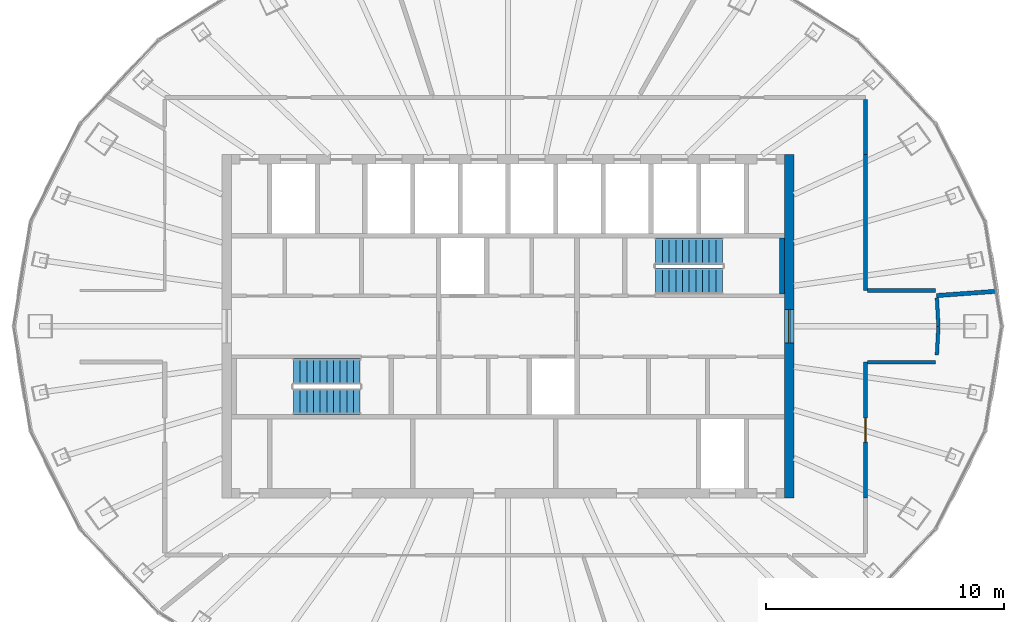
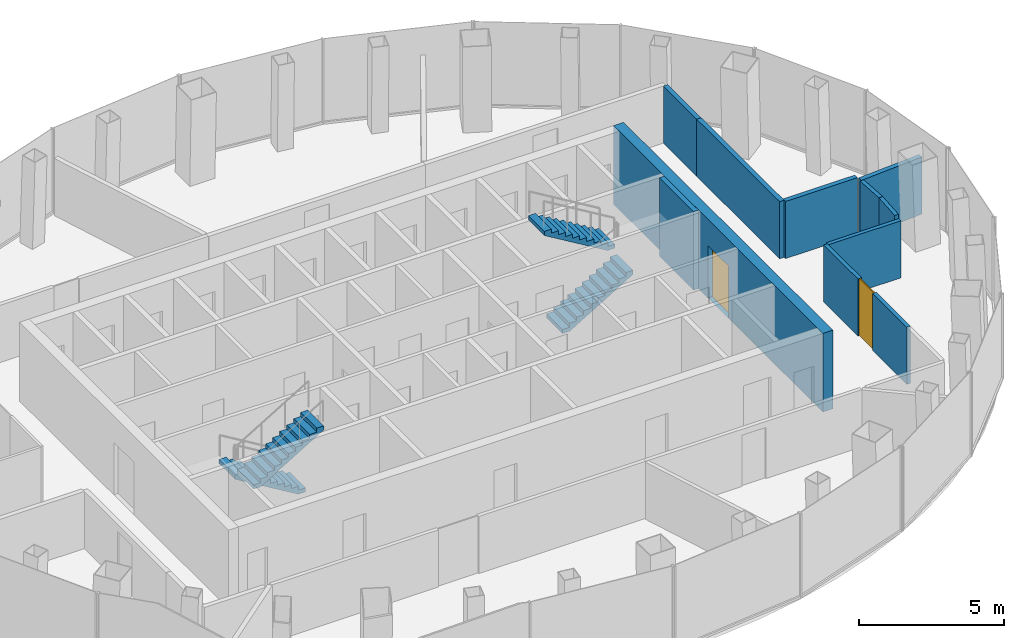
# One storey, part 10 of 11: 10 walls, 4 stair flights, 2 doors, 2 openings, 2 elements without a shape of their own.
"""IFC4 building model written with IfcOpenShell, lengths in metres."""

from ifc_helpers import new_model, si_unit, direction, frame, frame_2d, origin, place, context, subcontext, project, spatial, polyline, rectangle, outline, extrude, material, layer, layer_set, type_object, element, fill, aggregate, save


model = new_model("IFC4")

# Units and contexts
model_context = context("Model", 3, precision=1e-05, world=origin(), true_north=direction((0.0, 1.0)))
body_context = subcontext(model_context, "Body", "Model", "MODEL_VIEW")
ifc_project = project(units=[si_unit("LENGTHUNIT", "METRE"), si_unit("AREAUNIT", "SQUARE_METRE"), si_unit("VOLUMEUNIT", "CUBIC_METRE"), si_unit("PLANEANGLEUNIT", "RADIAN"), si_unit("MASSUNIT", "GRAM", prefix="KILO")], contexts=[model_context])

# Site, building, storey
site_placement = place(None, origin())
site = spatial("IfcSite", under=ifc_project, at=site_placement, CompositionType="ELEMENT")
building_placement = place(site_placement, origin())
building = spatial("IfcBuilding", under=site, at=building_placement, Name="Siaravel Broadcast Tower", CompositionType="ELEMENT")
storey_placement = place(building_placement, frame((0.0, 0.0, 254.10009765625)))
storey = spatial("IfcBuildingStorey", under=building, at=storey_placement, Name="L62", CompositionType="ELEMENT", Elevation=254.10009765625)

# Wall, opening, door
ifc_material_1 = material(Name="Concrete C60/75", Category="concrete")
ifc_layer_1 = layer(ifc_material_1, 0.39990234375)
ifc_layer_set_1 = layer_set([ifc_layer_1], Name="Concrete C60/75")
wall_type_1 = type_object("IfcWallType", Name="Core wall 400", PredefinedType="SHEAR", material=ifc_layer_set_1)
wall_1_placement = place(storey_placement, frame((11.800048828125, -7.199951171875, 0.0), z_axis=(0.0, 0.0, 1.0), x_axis=(0.0, 1.0, 0.0)))
wall_1 = element("IfcWall", 1, at=wall_1_placement, inside=storey, type_object=wall_type_1, Name="L62 core wall OE", PredefinedType="SHEAR", context=body_context, shape_type="SweptSolid", body=[
    extrude(rectangle(XDim=14.39990234375, YDim=0.39990234375, at=frame_2d((7.199951171875, 0.0))), origin(), (0.0, 0.0, 1.0), 3.2998046875),
])
opening_1_placement = place(wall_1_placement, frame((6.5, 0.0, 0.0)))
opening_1 = element("IfcOpeningElement", 2, at=opening_1_placement, cuts=wall_1, Name="Opening L62-DX-E", PredefinedType="OPENING", context=body_context, shape_type="SweptSolid", body=[
    extrude(rectangle(XDim=1.39990234375, YDim=2.199951171875, at=frame_2d((0.699951171875, 1.10009765625))), frame((0.0, 0.2099609375, 0.0), z_axis=(0.0, -1.0, 0.0), x_axis=(1.0, 0.0, 0.0)), (0.0, 0.0, 1.0), 0.419921875),
])
ifc_material_2 = material(Name="Steel", Category="steel")
door_type_1 = type_object("IfcDoorType", Name="Core exit door 1400", OperationType="DOUBLE_DOOR_SINGLE_SWING", PredefinedType="DOOR", material=ifc_material_2)
door_1_placement = place(opening_1_placement, origin())
door_1 = element("IfcDoor", 3, at=door_1_placement, inside=storey, type_object=door_type_1, Name="L62 door DX-E", OperationType="DOUBLE_DOOR_SINGLE_SWING", OverallHeight=2.199951171875, OverallWidth=1.39990234375, PredefinedType="DOOR", context=body_context, shape_type="SweptSolid", body=[
    extrude(rectangle(XDim=1.39990234375, YDim=2.199951171875, at=frame_2d((0.699951171875, 1.10009765625))), frame((0.0, 0.02490234375, 0.0), z_axis=(0.0, -1.0, 0.0), x_axis=(1.0, 0.0, 0.0)), (0.0, 0.0, 1.0), 0.050048828125),
])
fill(opening_1, door_1)

ifc_material_3 = material(Name="Gypsum board partition", Category="gypsum")
ifc_layer_2 = layer(ifc_material_3, 0.14990234375)
ifc_layer_set_2 = layer_set([ifc_layer_2], Name="Gypsum board partition")
wall_type_2 = type_object("IfcWallType", Name="Corridor wall 150", PredefinedType="PARTITIONING", material=ifc_layer_set_2)
wall_2_placement = place(storey_placement, frame((15.001953125, -7.2119140625, 0.0), z_axis=(0.0, 0.0, 1.0), x_axis=(-0.000341939, 0.999999942, 0.0)))
wall_2 = element("IfcWall", 4, at=wall_2_placement, inside=storey, type_object=wall_type_2, Name="L62 partition 12", PredefinedType="PARTITIONING", context=body_context, shape_type="SweptSolid", body=[
    extrude(rectangle(XDim=5.7119140625, YDim=0.14990234375, at=frame_2d((2.85595703125, 0.0))), origin(), (0.0, 0.0, 1.0), 2.39990234375),
])
opening_2_placement = place(wall_2_placement, frame((2.35595703125, 0.0, 0.0)))
opening_2 = element("IfcOpeningElement", 5, at=opening_2_placement, cuts=wall_2, Name="Opening L62-004", PredefinedType="OPENING", context=body_context, shape_type="SweptSolid", body=[
    extrude(rectangle(XDim=1.0, YDim=2.39990234375, at=frame_2d((0.5, 1.199951171875))), frame((0.0, 0.0849609375, 0.0), z_axis=(0.0, -1.0, 0.0), x_axis=(1.0, 0.0, 0.0)), (0.0, 0.0, 1.0), 0.169921875),
])
ifc_material_4 = material(Name="Timber veneer", Category="wood")
door_type_2 = type_object("IfcDoorType", Name="Executive office door 1000", OperationType="SINGLE_SWING_LEFT", PredefinedType="DOOR", material=ifc_material_4)
door_2_placement = place(opening_2_placement, origin())
door_2 = element("IfcDoor", 6, at=door_2_placement, inside=storey, type_object=door_type_2, Name="L62 door to Executive office", OperationType="SINGLE_SWING_RIGHT", OverallHeight=2.39990234375, OverallWidth=1.0, PredefinedType="DOOR", context=body_context, shape_type="SweptSolid", body=[
    extrude(rectangle(XDim=1.0, YDim=2.39990234375, at=frame_2d((0.5, 1.199951171875))), frame((0.0, 0.02490234375, 0.0), z_axis=(0.0, -1.0, 0.0), x_axis=(1.0, 0.0, 0.0)), (0.0, 0.0, 1.0), 0.050048828125),
])
fill(opening_2, door_2)

# Walls
wall_3_placement = place(storey_placement, frame((15.076904296875, -1.5, 0.0), z_axis=(0.0, 0.0, 1.0), x_axis=(1.0, 0.0, 0.0)))
element("IfcWall", 7, at=wall_3_placement, inside=storey, type_object=wall_type_2, Name="L62 partition 18", PredefinedType="PARTITIONING", context=body_context, shape_type="SweptSolid", body=[
    extrude(rectangle(XDim=2.870849609375, YDim=0.14990234375, at=frame_2d((1.435546875, 0.0))), origin(), (0.0, 0.0, 1.0), 2.39990234375),
])
wall_4_placement = place(storey_placement, frame((18.06005859375, 0.0, 0.0), z_axis=(0.0, 0.0, 1.0), x_axis=(-0.053146642, 0.998586719, 0.0)))
element("IfcWall", 8, at=wall_4_placement, inside=storey, type_object=wall_type_2, Name="L62 partition 27", PredefinedType="PARTITIONING", context=body_context, shape_type="SweptSolid", body=[
    extrude(rectangle(XDim=1.198974609375, YDim=0.14990234375, at=frame_2d((0.599609375, 0.0))), origin(), (0.0, 0.0, 1.0), 2.39990234375),
])
wall_5_placement = place(storey_placement, frame((17.99609375, -1.1982421875, 0.0), z_axis=(0.0, 0.0, 1.0), x_axis=(0.053344935, 0.998576145, 0.0)))
element("IfcWall", 9, at=wall_5_placement, inside=storey, type_object=wall_type_2, Name="L62 partition 28", PredefinedType="PARTITIONING", context=body_context, shape_type="SweptSolid", body=[
    extrude(rectangle(XDim=1.18994140625, YDim=0.14990234375, at=frame_2d((0.594970703125, 0.0))), origin(), (0.0, 0.0, 1.0), 2.39990234375),
])
ifc_material_5 = material(Name="Concrete blockwork", Category="masonry")
ifc_layer_3 = layer(ifc_material_5, 0.179931640625)
ifc_layer_set_3 = layer_set([ifc_layer_3], Name="Concrete blockwork")
wall_type_3 = type_object("IfcWallType", Name="Service room fire partition 180", PredefinedType="PARTITIONING", material=ifc_layer_set_3)
wall_6_placement = place(storey_placement, frame((15.0, 1.5, 0.0), z_axis=(0.0, 0.0, 1.0), x_axis=(0.0, 1.0, 0.0)))
element("IfcWall", 10, at=wall_6_placement, inside=storey, type_object=wall_type_3, Name="L62 partition 11", PredefinedType="PARTITIONING", context=body_context, shape_type="SweptSolid", body=[
    extrude(rectangle(XDim=5.7119140625, YDim=0.179931640625, at=frame_2d((2.85595703125, 0.0))), origin(), (0.0, 0.0, 1.0), 2.39990234375),
])
wall_7_placement = place(storey_placement, frame((17.94775390625, 1.5, 0.0), z_axis=(0.0, 0.0, 1.0), x_axis=(-1.0, 0.0, 0.0)))
element("IfcWall", 11, at=wall_7_placement, inside=storey, type_object=wall_type_3, Name="L62 partition 19", PredefinedType="PARTITIONING", context=body_context, shape_type="SweptSolid", body=[
    extrude(rectangle(XDim=2.855712890625, YDim=0.179931640625, at=frame_2d((1.427734375, 0.0))), origin(), (0.0, 0.0, 1.0), 2.39990234375),
])
wall_8_placement = place(storey_placement, frame((20.48486328125, 1.468017578125, 0.0), z_axis=(0.0, 0.0, 1.0), x_axis=(-0.997440396, -0.071502847, 0.0)))
element("IfcWall", 12, at=wall_8_placement, inside=storey, type_object=wall_type_3, Name="L62 partition 22", PredefinedType="PARTITIONING", context=body_context, shape_type="SweptSolid", body=[
    extrude(rectangle(XDim=2.509521484375, YDim=0.179931640625, at=frame_2d((1.2548828125, 0.0))), origin(), (0.0, 0.0, 1.0), 2.39990234375),
])
wall_9_placement = place(storey_placement, frame((15.0, 7.212890625, 0.0), z_axis=(0.0, 0.0, 1.0), x_axis=(0.0, 1.0, 0.0)))
element("IfcWall", 13, at=wall_9_placement, inside=storey, type_object=wall_type_3, Name="L62 partition 25", PredefinedType="PARTITIONING", context=body_context, shape_type="SweptSolid", body=[
    extrude(rectangle(XDim=2.295166015625, YDim=0.179931640625, at=frame_2d((1.1474609375, 0.0))), origin(), (0.0, 0.0, 1.0), 2.39990234375),
])
ifc_layer_4 = layer(ifc_material_1, 0.199951171875)
ifc_layer_set_4 = layer_set([ifc_layer_4], Name="Concrete C60/75")
wall_type_4 = type_object("IfcWallType", Name="Shaft wall 200", PredefinedType="SHEAR", material=ifc_layer_set_4)
wall_10_placement = place(storey_placement, frame((11.5, 1.35009765625, 0.0), z_axis=(0.0, 0.0, 1.0), x_axis=(0.0, 1.0, 0.0)))
element("IfcWall", 14, at=wall_10_placement, inside=storey, type_object=wall_type_4, Name="L62 core wall ST2E", PredefinedType="SHEAR", context=body_context, shape_type="SweptSolid", body=[
    extrude(rectangle(XDim=2.349853515625, YDim=0.199951171875, at=frame_2d((1.1748046875, 0.0))), origin(), (0.0, 0.0, 1.0), 3.2998046875),
])

# Stair, stair flights
ifc_material_6 = material(Name="Concrete C40/50", Category="concrete")
stair_type = type_object("IfcStairType", Name="Core exit stair", PredefinedType="HALF_TURN_STAIR", material=ifc_material_6)
stair_1_placement = place(storey_placement, origin())
stair_1 = element("IfcStair", 15, at=stair_1_placement, inside=storey, type_object=stair_type, Name="L62 Exit stair ST-1", PredefinedType="HALF_TURN_STAIR")
stair_flight_type = type_object("IfcStairFlightType", Name="Stair flight 1100", PredefinedType="STRAIGHT", material=ifc_material_6)
stair_flight_1_placement = place(storey_placement, frame((-6.199951171875, -1.89990234375, 0.0), z_axis=(0.0, 0.0, 1.0), x_axis=(-1.0, 0.0, 0.0)))
stair_flight_1 = element("IfcStairFlight", 16, at=stair_flight_1_placement, type_object=stair_flight_type, Name="ST-1 flight 1", NumberOfRisers=11, NumberOfTreads=10, PredefinedType="STRAIGHT", RiserHeight=0.1681818, TreadLength=0.28, context=body_context, shape_type="SweptSolid", body=[
    extrude(outline(polyline([(0.0, 0.0), (0.0, 0.168212890625), (0.280029296875, 0.168212890625), (0.280029296875, 0.33642578125), (0.56005859375, 0.33642578125), (0.56005859375, 0.504638671875), (0.840087890625, 0.504638671875), (0.840087890625, 0.672607421875), (1.1201171875, 0.672607421875), (1.1201171875, 0.8408203125), (1.39990234375, 0.8408203125), (1.39990234375, 1.009033203125), (1.679931640625, 1.009033203125), (1.679931640625, 1.17724609375), (1.9599609375, 1.17724609375), (1.9599609375, 1.345458984375), (2.239990234375, 1.345458984375), (2.239990234375, 1.513671875), (2.52001953125, 1.513671875), (2.52001953125, 1.681884765625), (2.800048828125, 1.681884765625), (2.800048828125, 1.85009765625), (2.800048828125, 1.5068359375), (0.291015625, 0.0), (0.0, 0.0)])), frame((0.0, 0.550048828125, 0.0), z_axis=(0.0, -1.0, 0.0), x_axis=(1.0, 0.0, 0.0)), (0.0, 0.0, 1.0), 1.10009765625),
])
stair_flight_2_placement = place(storey_placement, frame((-9.0, -3.14990234375, 1.849853515625), z_axis=(0.0, 0.0, 1.0), x_axis=(1.0, 0.0, 0.0)))
stair_flight_2 = element("IfcStairFlight", 17, at=stair_flight_2_placement, type_object=stair_flight_type, Name="ST-1 flight 2", NumberOfRisers=11, NumberOfTreads=10, PredefinedType="STRAIGHT", RiserHeight=0.1681818, TreadLength=0.28, context=body_context, shape_type="SweptSolid", body=[
    extrude(outline(polyline([(0.0, 0.0), (0.0, 0.168212890625), (0.280029296875, 0.168212890625), (0.280029296875, 0.33642578125), (0.56005859375, 0.33642578125), (0.56005859375, 0.504638671875), (0.840087890625, 0.504638671875), (0.840087890625, 0.672607421875), (1.1201171875, 0.672607421875), (1.1201171875, 0.8408203125), (1.39990234375, 0.8408203125), (1.39990234375, 1.009033203125), (1.679931640625, 1.009033203125), (1.679931640625, 1.17724609375), (1.9599609375, 1.17724609375), (1.9599609375, 1.345458984375), (2.239990234375, 1.345458984375), (2.239990234375, 1.513671875), (2.52001953125, 1.513671875), (2.52001953125, 1.681884765625), (2.800048828125, 1.681884765625), (2.800048828125, 1.85009765625), (2.800048828125, 1.5068359375), (0.291015625, 0.0), (0.0, 0.0)])), frame((0.0, 0.550048828125, 0.0), z_axis=(0.0, -1.0, 0.0), x_axis=(1.0, 0.0, 0.0)), (0.0, 0.0, 1.0), 1.10009765625),
])
aggregate(stair_1, [stair_flight_1, stair_flight_2])

stair_2_placement = place(storey_placement, origin())
stair_2 = element("IfcStair", 18, at=stair_2_placement, inside=storey, type_object=stair_type, Name="L62 Exit stair ST-2", PredefinedType="HALF_TURN_STAIR")
stair_flight_3_placement = place(storey_placement, frame((6.199951171875, 1.89990234375, 0.0), z_axis=(0.0, 0.0, 1.0), x_axis=(1.0, 0.0, 0.0)))
stair_flight_3 = element("IfcStairFlight", 19, at=stair_flight_3_placement, type_object=stair_flight_type, Name="ST-2 flight 1", NumberOfRisers=11, NumberOfTreads=10, PredefinedType="STRAIGHT", RiserHeight=0.1681818, TreadLength=0.28, context=body_context, shape_type="SweptSolid", body=[
    extrude(outline(polyline([(0.0, 0.0), (0.0, 0.168212890625), (0.280029296875, 0.168212890625), (0.280029296875, 0.33642578125), (0.56005859375, 0.33642578125), (0.56005859375, 0.504638671875), (0.840087890625, 0.504638671875), (0.840087890625, 0.672607421875), (1.1201171875, 0.672607421875), (1.1201171875, 0.8408203125), (1.39990234375, 0.8408203125), (1.39990234375, 1.009033203125), (1.679931640625, 1.009033203125), (1.679931640625, 1.17724609375), (1.9599609375, 1.17724609375), (1.9599609375, 1.345458984375), (2.239990234375, 1.345458984375), (2.239990234375, 1.513671875), (2.52001953125, 1.513671875), (2.52001953125, 1.681884765625), (2.800048828125, 1.681884765625), (2.800048828125, 1.85009765625), (2.800048828125, 1.5068359375), (0.291015625, 0.0), (0.0, 0.0)])), frame((0.0, 0.550048828125, 0.0), z_axis=(0.0, -1.0, 0.0), x_axis=(1.0, 0.0, 0.0)), (0.0, 0.0, 1.0), 1.10009765625),
])
stair_flight_4_placement = place(storey_placement, frame((9.0, 3.14990234375, 1.849853515625), z_axis=(0.0, 0.0, 1.0), x_axis=(-1.0, 0.0, 0.0)))
stair_flight_4 = element("IfcStairFlight", 20, at=stair_flight_4_placement, type_object=stair_flight_type, Name="ST-2 flight 2", NumberOfRisers=11, NumberOfTreads=10, PredefinedType="STRAIGHT", RiserHeight=0.1681818, TreadLength=0.28, context=body_context, shape_type="SweptSolid", body=[
    extrude(outline(polyline([(0.0, 0.0), (0.0, 0.168212890625), (0.280029296875, 0.168212890625), (0.280029296875, 0.33642578125), (0.56005859375, 0.33642578125), (0.56005859375, 0.504638671875), (0.840087890625, 0.504638671875), (0.840087890625, 0.672607421875), (1.1201171875, 0.672607421875), (1.1201171875, 0.8408203125), (1.39990234375, 0.8408203125), (1.39990234375, 1.009033203125), (1.679931640625, 1.009033203125), (1.679931640625, 1.17724609375), (1.9599609375, 1.17724609375), (1.9599609375, 1.345458984375), (2.239990234375, 1.345458984375), (2.239990234375, 1.513671875), (2.52001953125, 1.513671875), (2.52001953125, 1.681884765625), (2.800048828125, 1.681884765625), (2.800048828125, 1.85009765625), (2.800048828125, 1.5068359375), (0.291015625, 0.0), (0.0, 0.0)])), frame((0.0, 0.550048828125, 0.0), z_axis=(0.0, -1.0, 0.0), x_axis=(1.0, 0.0, 0.0)), (0.0, 0.0, 1.0), 1.10009765625),
])
aggregate(stair_2, [stair_flight_3, stair_flight_4])

save(model, "model.ifc")
